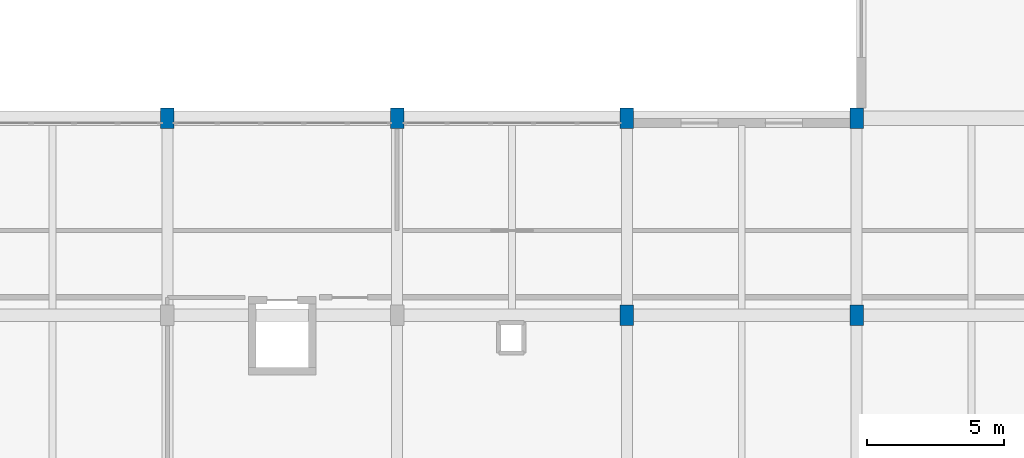
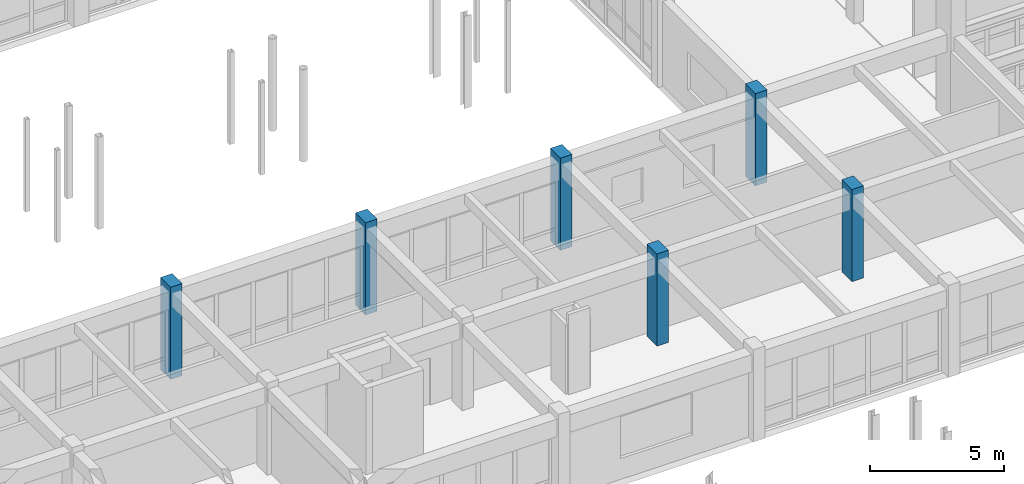
# One storey, part 22 of 147: 6 columns.
"""IFC4 building model written with IfcOpenShell, lengths in metres."""

from ifc_helpers import new_model, si_unit, direction, frame, origin, origin_2d, place, context, subcontext, project, spatial, rectangle, extrude, material, material_profile, profile_set, type_object, element, save


model = new_model("IFC4")

# Units and contexts
model_context = context("Model", 3, precision=1e-05, world=origin(), true_north=direction((0.0, 1.0)))
body_context = subcontext(model_context, "Body", "Model", "MODEL_VIEW")
ifc_project = project(units=[si_unit("LENGTHUNIT", "METRE"), si_unit("AREAUNIT", "SQUARE_METRE"), si_unit("VOLUMEUNIT", "CUBIC_METRE"), si_unit("PLANEANGLEUNIT", "RADIAN"), si_unit("MASSUNIT", "GRAM", prefix="KILO")], contexts=[model_context])

# Site, building, storey
site_placement = place(None, origin())
site = spatial("IfcSite", under=ifc_project, at=site_placement, CompositionType="ELEMENT")
building_placement = place(site_placement, origin())
building = spatial("IfcBuilding", under=site, at=building_placement, Name="Malvenik Polytechnic", CompositionType="ELEMENT")
storey_placement = place(building_placement, frame((0.0, 0.0, 5.10009765625)))
storey = spatial("IfcBuildingStorey", under=building, at=storey_placement, Name="L01", CompositionType="ELEMENT", Elevation=5.10009765625)

# Columns
ifc_material = material(Name="Concrete C35/45", Category="concrete")
ifc_material_profile = material_profile(ifc_material, rectangle(XDim=0.5, YDim=0.75, at=origin_2d()), Name="RC COL 750x500")
ifc_profile_set = profile_set([ifc_material_profile], Name="Concrete C35/45")
column_type = type_object("IfcColumnType", Name="STR-COL-C-14", PredefinedType="COLUMN", material=ifc_profile_set)
for number, where, z_axis, x_axis, name in (
    (1, (100.800048828125, 93.60009765625, 0.0), (0.0, 0.0, 1.0), (1.0, 0.0, 0.0), "Column C-14 L01 (100.8,93.6)"),
    (2, (109.199951171875, 93.60009765625, 0.0), (0.0, 0.0, 1.0), (1.0, 0.0, 0.0), "Column C-14 L01 (109.2,93.6)"),
    (3, (117.60009765625, 86.39990234375, 0.0), (0.0, 0.0, 1.0), (1.0, 0.0, 0.0), "Column C-14 L01 (117.6,86.4)"),
    (4, (117.60009765625, 93.60009765625, 0.0), (0.0, 0.0, 1.0), (1.0, 0.0, 0.0), "Column C-14 L01 (117.6,93.6)"),
    (5, (126.0, 86.39990234375, 0.0), (0.0, 0.0, 1.0), (1.0, 0.0, 0.0), "Column C-14 L01 (126.0,86.4)"),
    (6, (126.0, 93.60009765625, 0.0), (0.0, 0.0, 1.0), (1.0, 0.0, 0.0), "Column C-14 L01 (126.0,93.6)"),
):
    element("IfcColumn", number, at=place(storey_placement, frame(where, z_axis=z_axis, x_axis=x_axis)), inside=storey, type_object=column_type, Name=name, PredefinedType="COLUMN", context=body_context, shape_type="SweptSolid", body=[
        extrude(rectangle(XDim=0.5, YDim=0.75, at=origin_2d()), origin(), (0.0, 0.0, 1.0), 4.199951171875),
    ])

save(model, "model.ifc")
